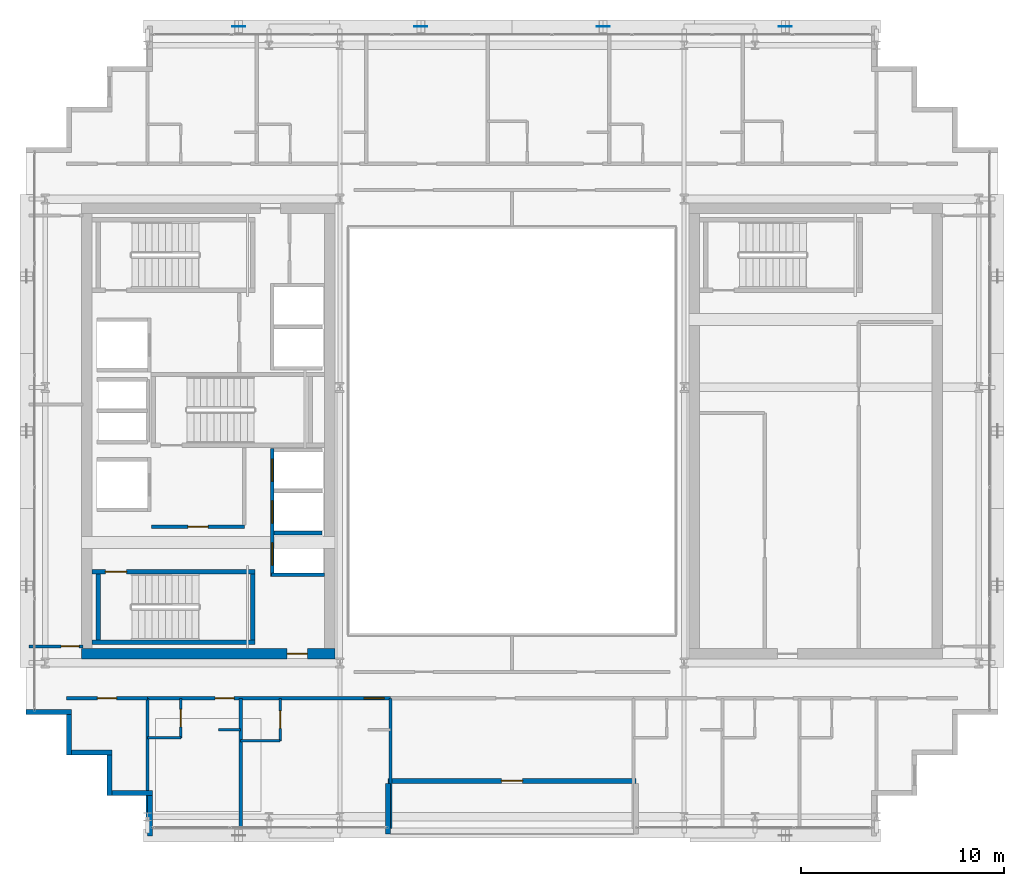
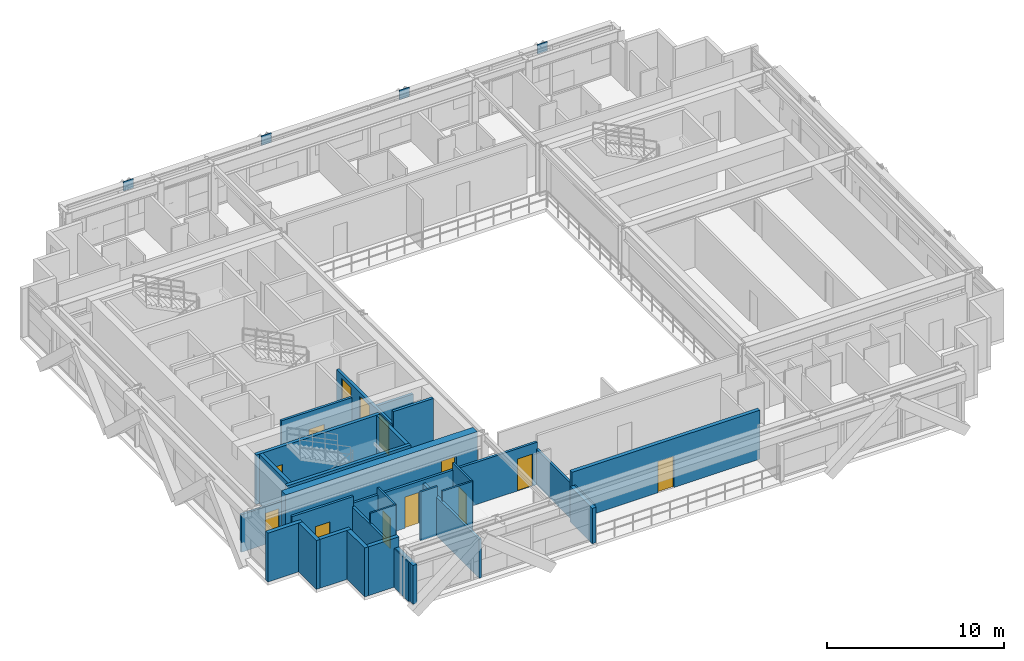
# One storey, part 23 of 31: 28 walls, 13 doors, 4 plates, 13 openings.
"""IFC4 building model written with IfcOpenShell, lengths in metres."""

from ifc_helpers import new_model, si_unit, direction, frame, frame_2d, origin, origin_2d, place, context, subcontext, project, spatial, rectangle, extrude, source, transform, mapped, material, layer, layer_set, type_object, element, fill, save


model = new_model("IFC4")

# Units and contexts
model_context = context("Model", 3, precision=1e-05, world=origin(), true_north=direction((0.0, 1.0)))
body_context = subcontext(model_context, "Body", "Model", "MODEL_VIEW")
ifc_project = project(units=[si_unit("LENGTHUNIT", "METRE"), si_unit("AREAUNIT", "SQUARE_METRE"), si_unit("VOLUMEUNIT", "CUBIC_METRE"), si_unit("PLANEANGLEUNIT", "RADIAN"), si_unit("MASSUNIT", "GRAM", prefix="KILO")], contexts=[model_context])

# Site, building, storey
site_placement = place(None, origin())
site = spatial("IfcSite", under=ifc_project, at=site_placement, CompositionType="ELEMENT")
building_placement = place(site_placement, origin())
building = spatial("IfcBuilding", under=site, at=building_placement, Name="Ocotamira Hotel", CompositionType="ELEMENT")
storey_placement = place(building_placement, frame((0.0, 0.0, 202.800048828125)))
storey = spatial("IfcBuildingStorey", under=building, at=storey_placement, Name="L51", CompositionType="ELEMENT", Elevation=202.800048828125)

# Plates
ifc_material_1 = material(Name="Pale-metal coated steel ASTM A572 Grade 50", Category="steel")
ifc_layer_1 = layer(ifc_material_1, 0.0400390625)
ifc_layer_set_1 = layer_set([ifc_layer_1], Name="Pale-metal coated steel ASTM A572 Grade 50")
plate_type = type_object("IfcPlateType", Name="PLT-GUSSET-40", PredefinedType="SHEET", material=ifc_layer_set_1)
shared_shape_1 = source(origin(), body_context, "Body", "SweptSolid", [
    extrude(rectangle(XDim=0.64990234375, YDim=0.0400390625, at=origin_2d()), origin(), (0.0, 0.0, 1.0), 0.64990234375),
])
for number, where, z_axis, x_axis, name in (
    (1, (18.5, 45.969970703125, 2.794921875), (0.0, 0.0, 1.0), (1.0, 0.0, 0.0), "L51 Exoskeleton Diagrid N0.1 End Gusset B"),
    (2, (27.5, 45.969970703125, 2.794921875), (0.0, 0.0, 1.0), (1.0, 0.0, 0.0), "L51 Exoskeleton Diagrid N1.1 End Gusset B"),
    (3, (36.5, 45.969970703125, 2.794921875), (0.0, 0.0, 1.0), (1.0, 0.0, 0.0), "L51 Exoskeleton Diagrid N2.1 End Gusset B"),
    (4, (45.5, 45.969970703125, 2.794921875), (0.0, 0.0, 1.0), (1.0, 0.0, 0.0), "L51 Exoskeleton Diagrid N3.1 End Gusset B"),
):
    element("IfcPlate", number, at=place(storey_placement, frame(where, z_axis=z_axis, x_axis=x_axis)), inside=storey, type_object=plate_type, Name=name, PredefinedType="SHEET", context=body_context, shape_type="MappedRepresentation", body=[
        mapped(shared_shape_1, transform((0.0, 0.0, 0.0), scale=1.0)),
    ])

# Wall, opening, door
ifc_material_2 = material(Name="Concrete C50/60", Category="concrete")
ifc_layer_2 = layer(ifc_material_2, 0.5)
ifc_layer_set_2 = layer_set([ifc_layer_2], Name="Concrete C50/60")
wall_type_1 = type_object("IfcWallType", Name="WL-CORE-500", PredefinedType="SHEAR", material=ifc_layer_set_2)
wall_1_placement = place(storey_placement, frame((10.75, 15.0, 0.0), z_axis=(0.0, 0.0, 1.0), x_axis=(1.0, 0.0, 0.0)))
wall_1 = element("IfcWall", 5, at=wall_1_placement, inside=storey, type_object=wall_type_1, Name="L51 Shear Core Wall WCORE-S", PredefinedType="SHEAR", context=body_context, shape_type="SweptSolid", body=[
    extrude(rectangle(XDim=12.5, YDim=0.5, at=frame_2d((6.25, 0.0))), origin(), (0.0, 0.0, 1.0), 3.369873046875),
])
opening_1_placement = place(wall_1_placement, frame((10.14990234375, 0.0, 0.0)))
opening_1 = element("IfcOpeningElement", 6, at=opening_1_placement, cuts=wall_1, Name="Opening D-FR2", PredefinedType="OPENING", context=body_context, shape_type="SweptSolid", body=[
    extrude(rectangle(XDim=1.0, YDim=2.14990234375, at=frame_2d((0.5, 1.074951171875))), frame((0.0, 0.260009765625, 0.0), z_axis=(0.0, -1.0, 0.0), x_axis=(1.0, 0.0, 0.0)), (0.0, 0.0, 1.0), 0.52001953125),
])
ifc_material_3 = material(Name="Fire-rated acoustic timber-veneer door", Category="wood")
door_type_1 = type_object("IfcDoorType", Name="DR-FIRE-1000", OperationType="NOTDEFINED", PredefinedType="DOOR", material=ifc_material_3)
shared_shape_2 = source(origin(), body_context, "Body", "SweptSolid", [
    extrude(rectangle(XDim=1.0, YDim=2.14990234375, at=frame_2d((0.5, 1.074951171875))), frame((0.0, 0.02490234375, 0.0), z_axis=(0.0, -1.0, 0.0), x_axis=(1.0, 0.0, 0.0)), (0.0, 0.0, 1.0), 0.050048828125),
])
door_1_placement = place(opening_1_placement, origin())
door_1 = element("IfcDoor", 7, at=door_1_placement, inside=storey, type_object=door_type_1, Name="L51 Door ID-L51-WLOB-S-D [ID-L51-WLOB-S-D]", OperationType="SINGLE_SWING_LEFT", OverallHeight=2.14990234375, OverallWidth=1.0, PredefinedType="DOOR", context=body_context, shape_type="MappedRepresentation", body=[
    mapped(shared_shape_2, transform((0.0, 0.0, 0.0), scale=1.0)),
])
fill(opening_1, door_1)

# Walls
ifc_material_4 = material(Name="Precast concrete C45/55", Category="concrete")
ifc_layer_3 = layer(ifc_material_4, 0.25)
ifc_layer_set_3 = layer_set([ifc_layer_3], Name="Precast concrete C45/55")
wall_type_2 = type_object("IfcWallType", Name="WL-EXT-SER-250", PredefinedType="SOLIDWALL", material=ifc_layer_set_3)
wall_2_placement = place(storey_placement, frame((8.0, 12.125, 0.0), z_axis=(0.0, 0.0, 1.0), x_axis=(1.0, 0.0, 0.0)))
element("IfcWall", 8, at=wall_2_placement, inside=storey, type_object=wall_type_2, Name="L51 Serrated Corner Wall 19", PredefinedType="SOLIDWALL", context=body_context, shape_type="SweptSolid", body=[
    extrude(rectangle(XDim=2.25, YDim=0.25, at=frame_2d((1.125, 0.0))), origin(), (0.0, 0.0, 1.0), 3.369873046875),
])
for number, where, z_axis, x_axis, name in (
    (9, (10.125, 12.0, 0.0), (0.0, 0.0, 1.0), (0.0, -1.0, 0.0), "L51 Serrated Corner Wall 20"),
    (10, (10.25, 10.125, 0.0), (0.0, 0.0, 1.0), (1.0, 0.0, 0.0), "L51 Serrated Corner Wall 21"),
    (11, (12.125, 10.0, 0.0), (0.0, 0.0, 1.0), (0.0, -1.0, 0.0), "L51 Serrated Corner Wall 22"),
    (12, (12.25, 8.125, 0.0), (0.0, 0.0, 1.0), (1.0, 0.0, 0.0), "L51 Serrated Corner Wall 23"),
):
    element("IfcWall", number, at=place(storey_placement, frame(where, z_axis=z_axis, x_axis=x_axis)), inside=storey, type_object=wall_type_2, Name=name, PredefinedType="SOLIDWALL", context=body_context, shape_type="SweptSolid", body=[
        extrude(rectangle(XDim=2.0, YDim=0.25, at=frame_2d((1.0, 0.0))), origin(), (0.0, 0.0, 1.0), 3.369873046875),
    ])
wall_3_placement = place(storey_placement, frame((14.125, 8.0, 0.0), z_axis=(0.0, 0.0, 1.0), x_axis=(0.0, -1.0, 0.0)))
element("IfcWall", 13, at=wall_3_placement, inside=storey, type_object=wall_type_2, Name="L51 Serrated Corner Wall 24", PredefinedType="SOLIDWALL", context=body_context, shape_type="SweptSolid", body=[
    extrude(rectangle(XDim=2.0, YDim=0.25, at=frame_2d((1.0, 0.0))), origin(), (0.0, 0.0, 1.0), 2.677001953125),
])

# Wall, opening, door
wall_4_placement = place(storey_placement, frame((25.875, 8.72509765625, 0.0), z_axis=(0.0, 0.0, 1.0), x_axis=(1.0, 0.0, 0.0)))
wall_4 = element("IfcWall", 14, at=wall_4_placement, inside=storey, type_object=wall_type_2, Name="L51 Sky Terrace Back Wall 1", PredefinedType="SOLIDWALL", context=body_context, shape_type="SweptSolid", body=[
    extrude(rectangle(XDim=12.25, YDim=0.25, at=frame_2d((6.125, 0.0))), origin(), (0.0, 0.0, 1.0), 3.369873046875),
])
opening_2_placement = place(wall_4_placement, frame((5.60009765625, 0.0, 0.0)))
opening_2 = element("IfcOpeningElement", 15, at=opening_2_placement, cuts=wall_4, Name="Opening ED-3", PredefinedType="OPENING", context=body_context, shape_type="SweptSolid", body=[
    extrude(rectangle(XDim=1.050048828125, YDim=2.14990234375, at=frame_2d((0.52490234375, 1.074951171875))), frame((0.0, 0.135009765625, 0.0), z_axis=(0.0, -1.0, 0.0), x_axis=(1.0, 0.0, 0.0)), (0.0, 0.0, 1.0), 0.27001953125),
])
ifc_material_5 = material(Name="Thermally broken aluminium glazed door", Category="aluminium")
door_type_2 = type_object("IfcDoorType", Name="DR-TERR-1050", OperationType="NOTDEFINED", PredefinedType="DOOR", material=ifc_material_5)
shared_shape_3 = source(origin(), body_context, "Body", "SweptSolid", [
    extrude(rectangle(XDim=1.050048828125, YDim=2.14990234375, at=frame_2d((0.52490234375, 1.074951171875))), frame((0.0, 0.02490234375, 0.0), z_axis=(0.0, -1.0, 0.0), x_axis=(1.0, 0.0, 0.0)), (0.0, 0.0, 1.0), 0.050048828125),
])
door_2_placement = place(opening_2_placement, origin())
door_2 = element("IfcDoor", 16, at=door_2_placement, inside=storey, type_object=door_type_2, Name="L51 Sky Terrace Access Door 1 [ED-BAL-L51-1]", OperationType="SINGLE_SWING_LEFT", OverallHeight=2.14990234375, OverallWidth=1.050048828125, PredefinedType="DOOR", context=body_context, shape_type="MappedRepresentation", body=[
    mapped(shared_shape_3, transform((0.0, 0.0, 0.0), scale=1.0)),
])
fill(opening_2, door_2)

# Wall
wall_5_placement = place(storey_placement, frame((25.875, 6.10009765625, 0.0), z_axis=(0.0, 0.0, 1.0), x_axis=(0.0, 1.0, 0.0)))
element("IfcWall", 17, at=wall_5_placement, inside=storey, type_object=wall_type_2, Name="L51 Sky Terrace Return Wall 1L", PredefinedType="SOLIDWALL", context=body_context, shape_type="SweptSolid", body=[
    extrude(rectangle(XDim=2.5, YDim=0.25, at=frame_2d((1.25, 0.0))), origin(), (0.0, 0.0, 1.0), 2.44287109375),
])

# Wall, opening, door
ifc_material_6 = material(Name="Acoustic double-layer fire gypsum board partition", Category="gypsum")
ifc_layer_4 = layer(ifc_material_6, 0.159912109375)
ifc_layer_set_4 = layer_set([ifc_layer_4], Name="Acoustic double-layer fire gypsum board partition")
wall_type_3 = type_object("IfcWallType", Name="WL-FIRE-160", PredefinedType="PARTITIONING", material=ifc_layer_set_4)
wall_6_placement = place(storey_placement, frame((14.199951171875, 21.27001953125, 0.0), z_axis=(0.0, 0.0, 1.0), x_axis=(1.0, 0.0, 0.0)))
wall_6 = element("IfcWall", 18, at=wall_6_placement, inside=storey, type_object=wall_type_3, Name="L51 Interior Wall PW-L51-FSAE1-S", PredefinedType="PARTITIONING", context=body_context, shape_type="SweptSolid", body=[
    extrude(rectangle(XDim=4.580078125, YDim=0.159912109375, at=frame_2d((2.2900390625, 0.0))), origin(), (0.0, 0.0, 1.0), 3.369873046875),
])
opening_3_placement = place(wall_6_placement, frame((1.800048828125, 0.0, 0.0)))
opening_3 = element("IfcOpeningElement", 19, at=opening_3_placement, cuts=wall_6, Name="Opening D-FR2", PredefinedType="OPENING", context=body_context, shape_type="SweptSolid", body=[
    extrude(rectangle(XDim=1.0, YDim=2.14990234375, at=frame_2d((0.5, 1.074951171875))), frame((0.0, 0.08984375, 0.0), z_axis=(0.0, -1.0, 0.0), x_axis=(1.0, 0.0, 0.0)), (0.0, 0.0, 1.0), 0.179931640625),
])
door_3_placement = place(opening_3_placement, origin())
door_3 = element("IfcDoor", 20, at=door_3_placement, inside=storey, type_object=door_type_1, Name="L51 Door ID-L51-FSAE1-D [ID-L51-FSAE1-D]", OperationType="SINGLE_SWING_LEFT", OverallHeight=2.14990234375, OverallWidth=1.0, PredefinedType="DOOR", context=body_context, shape_type="MappedRepresentation", body=[
    mapped(shared_shape_2, transform((0.0, 0.0, 0.0), scale=1.0)),
])
fill(opening_3, door_3)

wall_7_placement = place(storey_placement, frame((10.0, 12.800048828125, 0.0), z_axis=(0.0, 0.0, 1.0), x_axis=(1.0, 0.0, 0.0)))
wall_7 = element("IfcWall", 21, at=wall_7_placement, inside=storey, type_object=wall_type_3, Name="L51 Interior Wall PW-L51-Z3E-CSW-CW", PredefinedType="PARTITIONING", context=body_context, shape_type="SweptSolid", body=[
    extrude(rectangle(XDim=4.0, YDim=0.159912109375, at=frame_2d((2.0, 0.0))), origin(), (0.0, 0.0, 1.0), 3.369873046875),
])
opening_4_placement = place(wall_7_placement, frame((1.52001953125, 0.0, 0.0)))
opening_4 = element("IfcOpeningElement", 22, at=opening_4_placement, cuts=wall_7, Name="Opening D-SV4", PredefinedType="OPENING", context=body_context, shape_type="SweptSolid", body=[
    extrude(rectangle(XDim=0.9599609375, YDim=2.14990234375, at=frame_2d((0.47998046875, 1.074951171875))), frame((0.0, 0.08984375, 0.0), z_axis=(0.0, -1.0, 0.0), x_axis=(1.0, 0.0, 0.0)), (0.0, 0.0, 1.0), 0.179931640625),
])
ifc_material_7 = material(Name="Fire-rated accessible walnut salon door", Category="wood")
door_type_3 = type_object("IfcDoorType", Name="DR-SERV-960", OperationType="NOTDEFINED", PredefinedType="DOOR", material=ifc_material_7)
shared_shape_4 = source(origin(), body_context, "Body", "SweptSolid", [
    extrude(rectangle(XDim=0.9599609375, YDim=2.14990234375, at=frame_2d((0.47998046875, 1.074951171875))), frame((0.0, 0.02490234375, 0.0), z_axis=(0.0, -1.0, 0.0), x_axis=(1.0, 0.0, 0.0)), (0.0, 0.0, 1.0), 0.050048828125),
])
door_4_placement = place(opening_4_placement, origin())
door_4 = element("IfcDoor", 23, at=door_4_placement, inside=storey, type_object=door_type_3, Name="L51 Door ID-L51-Z3E-CSW-CD [ID-L51-Z3E-CSW-CD]", OperationType="SINGLE_SWING_LEFT", OverallHeight=2.14990234375, OverallWidth=0.9599609375, PredefinedType="DOOR", context=body_context, shape_type="MappedRepresentation", body=[
    mapped(shared_shape_4, transform((0.0, 0.0, 0.0), scale=1.0)),
])
fill(opening_4, door_4)

# Wall, openings, doors
wall_8_placement = place(storey_placement, frame((14.0, 12.800048828125, 0.0), z_axis=(0.0, 0.0, 1.0), x_axis=(1.0, 0.0, 0.0)))
wall_8 = element("IfcWall", 24, at=wall_8_placement, inside=storey, type_object=wall_type_3, Name="L51 Interior Wall PW-L51-Z3ESW-CORRW", PredefinedType="PARTITIONING", context=body_context, shape_type="SweptSolid", body=[
    extrude(rectangle(XDim=12.0, YDim=0.159912109375, at=frame_2d((6.0, 0.0))), origin(), (0.0, 0.0, 1.0), 2.912841796875),
])
opening_5_placement = place(wall_8_placement, frame((3.340087890625, 0.0, 0.0)))
opening_5 = element("IfcOpeningElement", 25, at=opening_5_placement, cuts=wall_8, Name="Opening D-GR1", PredefinedType="OPENING", context=body_context, shape_type="SweptSolid", body=[
    extrude(rectangle(XDim=0.93994140625, YDim=2.14990234375, at=frame_2d((0.469970703125, 1.074951171875))), frame((0.0, 0.08984375, 0.0), z_axis=(0.0, -1.0, 0.0), x_axis=(1.0, 0.0, 0.0)), (0.0, 0.0, 1.0), 0.179931640625),
])
opening_6_placement = place(wall_8_placement, frame((10.699951171875, 0.0, 0.0)))
opening_6 = element("IfcOpeningElement", 26, at=opening_6_placement, cuts=wall_8, Name="Opening D-GR2", PredefinedType="OPENING", context=body_context, shape_type="SweptSolid", body=[
    extrude(rectangle(XDim=0.97998046875, YDim=2.199951171875, at=frame_2d((0.489990234375, 1.10009765625))), frame((0.0, 0.08984375, 0.0), z_axis=(0.0, -1.0, 0.0), x_axis=(1.0, 0.0, 0.0)), (0.0, 0.0, 1.0), 0.179931640625),
])
ifc_material_8 = material(Name="Solid-core walnut suite entrance fire door", Category="wood")
door_type_4 = type_object("IfcDoorType", Name="DR-GUEST-940", OperationType="NOTDEFINED", PredefinedType="DOOR", material=ifc_material_8)
shared_shape_5 = source(origin(), body_context, "Body", "SweptSolid", [
    extrude(rectangle(XDim=0.93994140625, YDim=2.14990234375, at=frame_2d((0.469970703125, 1.074951171875))), frame((0.0, 0.02490234375, 0.0), z_axis=(0.0, -1.0, 0.0), x_axis=(1.0, 0.0, 0.0)), (0.0, 0.0, 1.0), 0.050048828125),
])
door_5_placement = place(opening_5_placement, origin())
door_5 = element("IfcDoor", 27, at=door_5_placement, inside=storey, type_object=door_type_4, Name="L51 Door ID-L51-Z3ESW-RMD1 [ID-L51-Z3ESW-RMD1]", OperationType="SINGLE_SWING_LEFT", OverallHeight=2.14990234375, OverallWidth=0.93994140625, PredefinedType="DOOR", context=body_context, shape_type="MappedRepresentation", body=[
    mapped(shared_shape_5, transform((0.0, 0.0, 0.0), scale=1.0)),
])
fill(opening_5, door_5)
ifc_material_9 = material(Name="Solid-core walnut grand-suite entrance fire door", Category="wood")
door_type_5 = type_object("IfcDoorType", Name="DR-GUEST-980", OperationType="NOTDEFINED", PredefinedType="DOOR", material=ifc_material_9)
shared_shape_6 = source(origin(), body_context, "Body", "SweptSolid", [
    extrude(rectangle(XDim=0.97998046875, YDim=2.199951171875, at=frame_2d((0.489990234375, 1.10009765625))), frame((0.0, 0.02490234375, 0.0), z_axis=(0.0, -1.0, 0.0), x_axis=(1.0, 0.0, 0.0)), (0.0, 0.0, 1.0), 0.050048828125),
])
door_6_placement = place(opening_6_placement, origin())
door_6 = element("IfcDoor", 28, at=door_6_placement, inside=storey, type_object=door_type_5, Name="L51 Door ID-L51-Z3ESW-RMD2 [ID-L51-Z3ESW-RMD2]", OperationType="SINGLE_SWING_RIGHT", OverallHeight=2.199951171875, OverallWidth=0.97998046875, PredefinedType="DOOR", context=body_context, shape_type="MappedRepresentation", body=[
    mapped(shared_shape_6, transform((0.0, 0.0, 0.0), scale=1.0)),
])
fill(opening_6, door_6)

# Wall, opening, door
ifc_material_10 = material(Name="Moisture-resistant en-suite tile and gypsum partition", Category="gypsum")
ifc_layer_5 = layer(ifc_material_10, 0.1201171875)
ifc_layer_set_5 = layer_set([ifc_layer_5], Name="Moisture-resistant en-suite tile and gypsum partition")
wall_type_4 = type_object("IfcWallType", Name="WL-PART-120", PredefinedType="PARTITIONING", material=ifc_layer_set_5)
wall_9_placement = place(storey_placement, frame((15.64990234375, 10.85009765625, 0.0), z_axis=(0.0, 0.0, 1.0), x_axis=(0.0, 1.0, 0.0)))
wall_9 = element("IfcWall", 29, at=wall_9_placement, inside=storey, type_object=wall_type_4, Name="L51 Interior Wall PW-L51-Z3ESW-BAE1", PredefinedType="PARTITIONING", context=body_context, shape_type="SweptSolid", body=[
    extrude(rectangle(XDim=1.949951171875, YDim=0.1201171875, at=frame_2d((0.97509765625, 0.0))), origin(), (0.0, 0.0, 1.0), 3.369873046875),
])
opening_7_placement = place(wall_9_placement, frame((0.544921875, 0.0, 0.0)))
opening_7 = element("IfcOpeningElement", 30, at=opening_7_placement, cuts=wall_9, Name="Opening D-BA1", PredefinedType="OPENING", context=body_context, shape_type="SweptSolid", body=[
    extrude(rectangle(XDim=0.860107421875, YDim=2.10009765625, at=frame_2d((0.43017578125, 1.050048828125))), frame((0.0, 0.070068359375, 0.0), z_axis=(0.0, -1.0, 0.0), x_axis=(1.0, 0.0, 0.0)), (0.0, 0.0, 1.0), 0.14013671875),
])
ifc_material_11 = material(Name="Moisture-sealed en-suite timber door", Category="wood")
door_type_6 = type_object("IfcDoorType", Name="DR-BATH-860", OperationType="NOTDEFINED", PredefinedType="DOOR", material=ifc_material_11)
shared_shape_7 = source(origin(), body_context, "Body", "SweptSolid", [
    extrude(rectangle(XDim=0.860107421875, YDim=2.10009765625, at=frame_2d((0.43017578125, 1.050048828125))), frame((0.0, 0.02490234375, 0.0), z_axis=(0.0, -1.0, 0.0), x_axis=(1.0, 0.0, 0.0)), (0.0, 0.0, 1.0), 0.050048828125),
])
door_7_placement = place(opening_7_placement, origin())
door_7 = element("IfcDoor", 31, at=door_7_placement, inside=storey, type_object=door_type_6, Name="L51 Door ID-L51-Z3ESW-BAD1 [ID-L51-Z3ESW-BAD1]", OperationType="SINGLE_SWING_RIGHT", OverallHeight=2.10009765625, OverallWidth=0.860107421875, PredefinedType="DOOR", context=body_context, shape_type="MappedRepresentation", body=[
    mapped(shared_shape_7, transform((0.0, 0.0, 0.0), scale=1.0)),
])
fill(opening_7, door_7)

# Walls
wall_10_placement = place(storey_placement, frame((14.0, 10.85009765625, 0.0), z_axis=(0.0, 0.0, 1.0), x_axis=(1.0, 0.0, 0.0)))
element("IfcWall", 32, at=wall_10_placement, inside=storey, type_object=wall_type_4, Name="L51 Interior Wall PW-L51-Z3ESW-BAS1", PredefinedType="PARTITIONING", context=body_context, shape_type="SweptSolid", body=[
    extrude(rectangle(XDim=1.64990234375, YDim=0.1201171875, at=frame_2d((0.824951171875, 0.0))), origin(), (0.0, 0.0, 1.0), 3.369873046875),
])
wall_11_placement = place(storey_placement, frame((17.5, 11.25, 0.0), z_axis=(0.0, 0.0, 1.0), x_axis=(1.0, 0.0, 0.0)))
element("IfcWall", 33, at=wall_11_placement, inside=storey, type_object=wall_type_4, Name="L51 Interior Wall PW-L51-Z3ESW-DRN1", PredefinedType="PARTITIONING", context=body_context, shape_type="SweptSolid", body=[
    extrude(rectangle(XDim=1.10009765625, YDim=0.1201171875, at=frame_2d((0.550048828125, 0.0))), origin(), (0.0, 0.0, 1.0), 3.369873046875),
])

# Wall, opening, door
wall_12_placement = place(storey_placement, frame((20.550048828125, 10.699951171875, 0.0), z_axis=(0.0, 0.0, 1.0), x_axis=(0.0, 1.0, 0.0)))
wall_12 = element("IfcWall", 34, at=wall_12_placement, inside=storey, type_object=wall_type_4, Name="L51 Interior Wall PW-L51-Z3ESW-BAE2", PredefinedType="PARTITIONING", context=body_context, shape_type="SweptSolid", body=[
    extrude(rectangle(XDim=2.10009765625, YDim=0.1201171875, at=frame_2d((1.050048828125, 0.0))), origin(), (0.0, 0.0, 1.0), 3.369873046875),
])
opening_8_placement = place(wall_12_placement, frame((0.6201171875, 0.0, 0.0)))
opening_8 = element("IfcOpeningElement", 35, at=opening_8_placement, cuts=wall_12, Name="Opening D-BA1", PredefinedType="OPENING", context=body_context, shape_type="SweptSolid", body=[
    extrude(rectangle(XDim=0.860107421875, YDim=2.10009765625, at=frame_2d((0.43017578125, 1.050048828125))), frame((0.0, 0.070068359375, 0.0), z_axis=(0.0, -1.0, 0.0), x_axis=(1.0, 0.0, 0.0)), (0.0, 0.0, 1.0), 0.14013671875),
])
door_8_placement = place(opening_8_placement, origin())
door_8 = element("IfcDoor", 36, at=door_8_placement, inside=storey, type_object=door_type_6, Name="L51 Door ID-L51-Z3ESW-BAD2 [ID-L51-Z3ESW-BAD2]", OperationType="SINGLE_SWING_LEFT", OverallHeight=2.10009765625, OverallWidth=0.860107421875, PredefinedType="DOOR", context=body_context, shape_type="MappedRepresentation", body=[
    mapped(shared_shape_7, transform((0.0, 0.0, 0.0), scale=1.0)),
])
fill(opening_8, door_8)

# Wall
wall_13_placement = place(storey_placement, frame((18.60009765625, 10.699951171875, 0.0), z_axis=(0.0, 0.0, 1.0), x_axis=(1.0, 0.0, 0.0)))
element("IfcWall", 37, at=wall_13_placement, inside=storey, type_object=wall_type_4, Name="L51 Interior Wall PW-L51-Z3ESW-BAS2", PredefinedType="PARTITIONING", context=body_context, shape_type="SweptSolid", body=[
    extrude(rectangle(XDim=1.949951171875, YDim=0.1201171875, at=frame_2d((0.97509765625, 0.0))), origin(), (0.0, 0.0, 1.0), 3.369873046875),
])

# Wall, opening, door
ifc_material_12 = material(Name="Acoustic hospitality gypsum board partition", Category="gypsum")
ifc_layer_6 = layer(ifc_material_12, 0.14990234375)
ifc_layer_set_6 = layer_set([ifc_layer_6], Name="Acoustic hospitality gypsum board partition")
wall_type_5 = type_object("IfcWallType", Name="WL-PART-150", PredefinedType="PARTITIONING", material=ifc_layer_set_6)
wall_14_placement = place(storey_placement, frame((8.159912109375, 15.360107421875, 0.0), z_axis=(0.0, 0.0, 1.0), x_axis=(1.0, 0.0, 0.0)))
wall_14 = element("IfcWall", 38, at=wall_14_placement, inside=storey, type_object=wall_type_5, Name="L51 Interior Wall PW-L51-Z3E-WF-WS", PredefinedType="PARTITIONING", context=body_context, shape_type="SweptSolid", body=[
    extrude(rectangle(XDim=2.66015625, YDim=0.14990234375, at=frame_2d((1.330078125, 0.0))), origin(), (0.0, 0.0, 1.0), 2.591064453125),
])
opening_9_placement = place(wall_14_placement, frame((1.580078125, 0.0, 0.0)))
opening_9 = element("IfcOpeningElement", 39, at=opening_9_placement, cuts=wall_14, Name="Opening D-SV2", PredefinedType="OPENING", context=body_context, shape_type="SweptSolid", body=[
    extrude(rectangle(XDim=0.8798828125, YDim=2.14990234375, at=frame_2d((0.43994140625, 1.074951171875))), frame((0.0, 0.0849609375, 0.0), z_axis=(0.0, -1.0, 0.0), x_axis=(1.0, 0.0, 0.0)), (0.0, 0.0, 1.0), 0.169921875),
])
ifc_material_13 = material(Name="Fire-rated painted steel service door", Category="steel")
door_type_7 = type_object("IfcDoorType", Name="DR-SERV-880", OperationType="NOTDEFINED", PredefinedType="DOOR", material=ifc_material_13)
shared_shape_8 = source(origin(), body_context, "Body", "SweptSolid", [
    extrude(rectangle(XDim=0.8798828125, YDim=2.14990234375, at=frame_2d((0.43994140625, 1.074951171875))), frame((0.0, 0.02490234375, 0.0), z_axis=(0.0, -1.0, 0.0), x_axis=(1.0, 0.0, 0.0)), (0.0, 0.0, 1.0), 0.050048828125),
])
door_9_placement = place(opening_9_placement, origin())
door_9 = element("IfcDoor", 40, at=door_9_placement, inside=storey, type_object=door_type_7, Name="L51 Door ID-L51-Z3E-WF-DS [ID-L51-Z3E-WF-DS]", OperationType="SINGLE_SWING_LEFT", OverallHeight=2.14990234375, OverallWidth=0.8798828125, PredefinedType="DOOR", context=body_context, shape_type="MappedRepresentation", body=[
    mapped(shared_shape_8, transform((0.0, 0.0, 0.0), scale=1.0)),
])
fill(opening_9, door_9)

# Walls
ifc_material_14 = material(Name="Acoustic double-stud hospitality gypsum partition", Category="gypsum")
ifc_layer_7 = layer(ifc_material_14, 0.159912109375)
ifc_layer_set_7 = layer_set([ifc_layer_7], Name="Acoustic double-stud hospitality gypsum partition")
wall_type_6 = type_object("IfcWallType", Name="WL-PART-160", PredefinedType="PARTITIONING", material=ifc_layer_set_7)
wall_15_placement = place(storey_placement, frame((14.0, 6.360107421875, 0.0), z_axis=(0.0, 0.0, 1.0), x_axis=(0.0, 1.0, 0.0)))
element("IfcWall", 41, at=wall_15_placement, inside=storey, type_object=wall_type_6, Name="L51 Interior Wall PW-L51-Z3ESW-PW0", PredefinedType="PARTITIONING", context=body_context, shape_type="SweptSolid", body=[
    extrude(rectangle(XDim=6.43994140625, YDim=0.159912109375, at=frame_2d((3.219970703125, 0.0))), origin(), (0.0, 0.0, 1.0), 2.677001953125),
])
wall_16_placement = place(storey_placement, frame((26.0, 6.360107421875, 0.0), z_axis=(0.0, 0.0, 1.0), x_axis=(0.0, 1.0, 0.0)))
element("IfcWall", 42, at=wall_16_placement, inside=storey, type_object=wall_type_6, Name="L51 Interior Wall PW-L51-Z3ESW-PWEND", PredefinedType="PARTITIONING", context=body_context, shape_type="SweptSolid", body=[
    extrude(rectangle(XDim=6.43994140625, YDim=0.159912109375, at=frame_2d((3.219970703125, 0.0))), origin(), (0.0, 0.0, 1.0), 2.44287109375),
])
wall_17_placement = place(storey_placement, frame((18.60009765625, 6.360107421875, 0.0), z_axis=(0.0, 0.0, 1.0), x_axis=(0.0, 1.0, 0.0)))
element("IfcWall", 43, at=wall_17_placement, inside=storey, type_object=wall_type_6, Name="L51 Interior Wall PW-L51-Z3ESW-PW1", PredefinedType="PARTITIONING", context=body_context, shape_type="SweptSolid", body=[
    extrude(rectangle(XDim=6.43994140625, YDim=0.159912109375, at=frame_2d((3.219970703125, 0.0))), origin(), (0.0, 0.0, 1.0), 2.677001953125),
])

# Wall, openings, doors
ifc_material_15 = material(Name="Fire-rated gypsum shaftliner board assembly", Category="gypsum")
ifc_layer_8 = layer(ifc_material_15, 0.179931640625)
ifc_layer_set_8 = layer_set([ifc_layer_8], Name="Fire-rated gypsum shaftliner board assembly")
wall_type_7 = type_object("IfcWallType", Name="WL-SHAFT-180", PredefinedType="SOLIDWALL", material=ifc_layer_set_8)
wall_18_placement = place(storey_placement, frame((20.159912109375, 18.820068359375, 0.0), z_axis=(0.0, 0.0, 1.0), x_axis=(0.0, 1.0, 0.0)))
wall_18 = element("IfcWall", 44, at=wall_18_placement, inside=storey, type_object=wall_type_7, Name="L51 Interior Wall PW-L51-LFW-BANK-high-F", PredefinedType="SOLIDWALL", context=body_context, shape_type="SweptSolid", body=[
    extrude(rectangle(XDim=6.31982421875, YDim=0.179931640625, at=frame_2d((3.159912109375, 0.0))), origin(), (0.0, 0.0, 1.0), 2.469970703125),
])
opening_10_placement = place(wall_18_placement, frame((0.554931640625, 0.0, 0.0)))
opening_10 = element("IfcOpeningElement", 45, at=opening_10_placement, cuts=wall_18, Name="Opening LD-LF-P7", PredefinedType="OPENING", context=body_context, shape_type="SweptSolid", body=[
    extrude(rectangle(XDim=1.10009765625, YDim=2.199951171875, at=frame_2d((0.550048828125, 1.10009765625))), frame((0.0, 0.10009765625, 0.0), z_axis=(0.0, -1.0, 0.0), x_axis=(1.0, 0.0, 0.0)), (0.0, 0.0, 1.0), 0.199951171875),
])
opening_11_placement = place(wall_18_placement, frame((2.635009765625, 0.0, 0.0)))
opening_11 = element("IfcOpeningElement", 46, at=opening_11_placement, cuts=wall_18, Name="Opening LD-LF-P8", PredefinedType="OPENING", context=body_context, shape_type="SweptSolid", body=[
    extrude(rectangle(XDim=1.10009765625, YDim=2.199951171875, at=frame_2d((0.550048828125, 1.10009765625))), frame((0.0, 0.10009765625, 0.0), z_axis=(0.0, -1.0, 0.0), x_axis=(1.0, 0.0, 0.0)), (0.0, 0.0, 1.0), 0.199951171875),
])
opening_12_placement = place(wall_18_placement, frame((4.68994140625, 0.0, 0.0)))
opening_12 = element("IfcOpeningElement", 47, at=opening_12_placement, cuts=wall_18, Name="Opening LD-LF-P9", PredefinedType="OPENING", context=body_context, shape_type="SweptSolid", body=[
    extrude(rectangle(XDim=1.10009765625, YDim=2.199951171875, at=frame_2d((0.550048828125, 1.10009765625))), frame((0.0, 0.10009765625, 0.0), z_axis=(0.0, -1.0, 0.0), x_axis=(1.0, 0.0, 0.0)), (0.0, 0.0, 1.0), 0.199951171875),
])
ifc_material_16 = material(Name="Brushed pale-metal stainless elevator landing door", Category="steel")
door_type_8 = type_object("IfcDoorType", Name="DR-LIFT-1100", OperationType="NOTDEFINED", PredefinedType="DOOR", material=ifc_material_16)
shared_shape_9 = source(origin(), body_context, "Body", "SweptSolid", [
    extrude(rectangle(XDim=1.10009765625, YDim=2.199951171875, at=frame_2d((0.550048828125, 1.10009765625))), frame((0.0, 0.02490234375, 0.0), z_axis=(0.0, -1.0, 0.0), x_axis=(1.0, 0.0, 0.0)), (0.0, 0.0, 1.0), 0.050048828125),
])
door_10_placement = place(opening_10_placement, origin())
door_10 = element("IfcDoor", 48, at=door_10_placement, inside=storey, type_object=door_type_8, Name="L51 Landing Door LD-LF-P7 [ID-L51-LD-LF-P7]", OperationType="DOUBLE_DOOR_SLIDING", OverallHeight=2.199951171875, OverallWidth=1.10009765625, PredefinedType="DOOR", context=body_context, shape_type="MappedRepresentation", body=[
    mapped(shared_shape_9, transform((0.0, 0.0, 0.0), scale=1.0)),
])
fill(opening_10, door_10)
door_11_placement = place(opening_11_placement, origin())
door_11 = element("IfcDoor", 49, at=door_11_placement, inside=storey, type_object=door_type_8, Name="L51 Landing Door LD-LF-P8 [ID-L51-LD-LF-P8]", OperationType="DOUBLE_DOOR_SLIDING", OverallHeight=2.199951171875, OverallWidth=1.10009765625, PredefinedType="DOOR", context=body_context, shape_type="MappedRepresentation", body=[
    mapped(shared_shape_9, transform((0.0, 0.0, 0.0), scale=1.0)),
])
fill(opening_11, door_11)
door_12_placement = place(opening_12_placement, origin())
door_12 = element("IfcDoor", 50, at=door_12_placement, inside=storey, type_object=door_type_8, Name="L51 Landing Door LD-LF-P9 [ID-L51-LD-LF-P9]", OperationType="DOUBLE_DOOR_SLIDING", OverallHeight=2.199951171875, OverallWidth=1.10009765625, PredefinedType="DOOR", context=body_context, shape_type="MappedRepresentation", body=[
    mapped(shared_shape_9, transform((0.0, 0.0, 0.0), scale=1.0)),
])
fill(opening_12, door_12)

# Walls
wall_19_placement = place(storey_placement, frame((20.1201171875, 18.909912109375, 0.0), z_axis=(0.0, 0.0, 1.0), x_axis=(1.0, 0.0, 0.0)))
element("IfcWall", 51, at=wall_19_placement, inside=storey, type_object=wall_type_7, Name="L51 Interior Wall PW-L51-LFW-BANK-high-S", PredefinedType="SOLIDWALL", context=body_context, shape_type="SweptSolid", body=[
    extrude(rectangle(XDim=2.6298828125, YDim=0.179931640625, at=frame_2d((1.31494140625, 0.0))), origin(), (0.0, 0.0, 1.0), 3.369873046875),
])
wall_20_placement = place(storey_placement, frame((20.25, 20.965087890625, 0.0), z_axis=(0.0, 0.0, 1.0), x_axis=(1.0, 0.0, 0.0)))
element("IfcWall", 52, at=wall_20_placement, inside=storey, type_object=wall_type_7, Name="L51 Interior Wall PW-L51-LFW-DIV-LF-P7", PredefinedType="SOLIDWALL", context=body_context, shape_type="SweptSolid", body=[
    extrude(rectangle(XDim=2.360107421875, YDim=0.179931640625, at=frame_2d((1.18017578125, 0.0))), origin(), (0.0, 0.0, 1.0), 2.469970703125),
])
ifc_layer_9 = layer(ifc_material_2, 0.219970703125)
ifc_layer_set_9 = layer_set([ifc_layer_9], Name="Concrete C50/60")
wall_type_8 = type_object("IfcWallType", Name="WL-STAIR-220", PredefinedType="SHEAR", material=ifc_layer_set_9)
wall_21_placement = place(storey_placement, frame((11.25, 15.56005859375, 0.0), z_axis=(0.0, 0.0, 1.0), x_axis=(1.0, 0.0, 0.0)))
element("IfcWall", 53, at=wall_21_placement, inside=storey, type_object=wall_type_8, Name="L51 Stair Shaft Structural Wall ST-1-S", PredefinedType="SHEAR", context=body_context, shape_type="SweptSolid", body=[
    extrude(rectangle(XDim=8.06005859375, YDim=0.219970703125, at=frame_2d((4.030029296875, 0.0))), origin(), (0.0, 0.0, 1.0), 3.39990234375),
])

# Wall, opening, door
wall_22_placement = place(storey_placement, frame((11.25, 19.06005859375, 0.0), z_axis=(0.0, 0.0, 1.0), x_axis=(1.0, 0.0, 0.0)))
wall_22 = element("IfcWall", 54, at=wall_22_placement, inside=storey, type_object=wall_type_8, Name="L51 Stair Shaft Structural Wall ST-1-N", PredefinedType="SHEAR", context=body_context, shape_type="SweptSolid", body=[
    extrude(rectangle(XDim=8.06005859375, YDim=0.219970703125, at=frame_2d((4.030029296875, 0.0))), origin(), (0.0, 0.0, 1.0), 3.39990234375),
])
opening_13_placement = place(wall_22_placement, frame((0.669921875, 0.0, 0.0)))
opening_13 = element("IfcOpeningElement", 55, at=opening_13_placement, cuts=wall_22, Name="Opening D-ST2", PredefinedType="OPENING", context=body_context, shape_type="SweptSolid", body=[
    extrude(rectangle(XDim=1.050048828125, YDim=2.14990234375, at=frame_2d((0.52490234375, 1.074951171875))), frame((0.0, 0.1201171875, 0.0), z_axis=(0.0, -1.0, 0.0), x_axis=(1.0, 0.0, 0.0)), (0.0, 0.0, 1.0), 0.239990234375),
])
ifc_material_17 = material(Name="Insulated painted hollow-metal fire exit door", Category="steel")
door_type_9 = type_object("IfcDoorType", Name="DR-STAIR-1050", OperationType="NOTDEFINED", PredefinedType="DOOR", material=ifc_material_17)
door_13_placement = place(opening_13_placement, origin())
door_13 = element("IfcDoor", 56, at=door_13_placement, inside=storey, type_object=door_type_9, Name="L51 Door ID-L51-STD-ST-1 [ID-L51-STD-ST-1]", OperationType="SINGLE_SWING_RIGHT", OverallHeight=2.14990234375, OverallWidth=1.050048828125, PredefinedType="DOOR", context=body_context, shape_type="MappedRepresentation", body=[
    mapped(shared_shape_3, transform((0.0, 0.0, 0.0), scale=1.0)),
])
fill(opening_13, door_13)

# Walls
for number, where, z_axis, x_axis, name in (
    (57, (11.56005859375, 15.669921875, 0.0), (0.0, 0.0, 1.0), (0.0, 1.0, 0.0), "L51 Stair Shaft Structural Wall ST-1-W"),
    (58, (19.199951171875, 15.669921875, 0.0), (0.0, 0.0, 1.0), (0.0, 1.0, 0.0), "L51 Stair Shaft Structural Wall ST-1-E"),
):
    element("IfcWall", number, at=place(storey_placement, frame(where, z_axis=z_axis, x_axis=x_axis)), inside=storey, type_object=wall_type_8, Name=name, PredefinedType="SHEAR", context=body_context, shape_type="SweptSolid", body=[
        extrude(rectangle(XDim=3.280029296875, YDim=0.219970703125, at=frame_2d((1.64013671875, 0.0))), origin(), (0.0, 0.0, 1.0), 3.39990234375),
    ])

save(model, "model.ifc")
